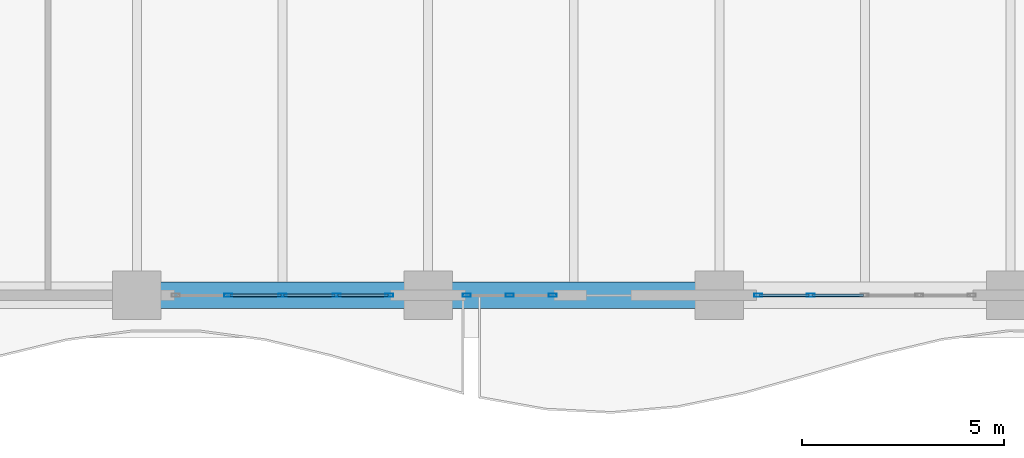
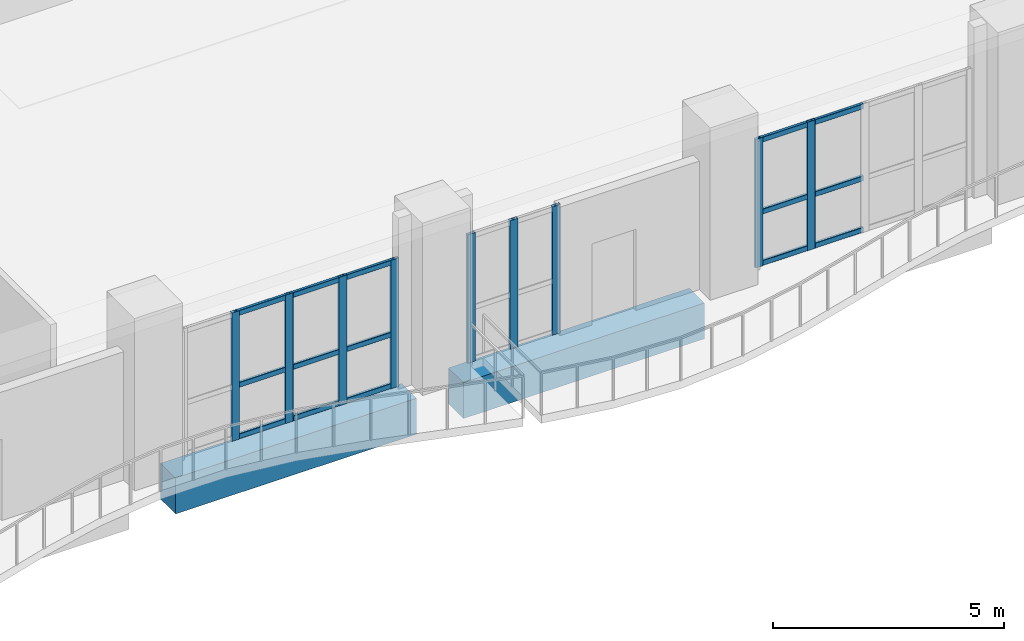
# One storey, part 14 of 37: 24 members, 2 beams, 3 elements without a shape of their own.
"""IFC4 building model written with IfcOpenShell, lengths in metres."""

from ifc_helpers import new_model, si_unit, direction, frame, origin, origin_2d, place, context, subcontext, project, spatial, rectangle, hollow_rectangle, extrude, material, layer, layer_set, material_profile, profile_set, type_object, element, aggregate, save


model = new_model("IFC4")

# Units and contexts
model_context = context("Model", 3, precision=1e-05, world=origin(), true_north=direction((0.0, 1.0)))
body_context = subcontext(model_context, "Body", "Model", "MODEL_VIEW")
ifc_project = project(units=[si_unit("LENGTHUNIT", "METRE"), si_unit("AREAUNIT", "SQUARE_METRE"), si_unit("VOLUMEUNIT", "CUBIC_METRE"), si_unit("PLANEANGLEUNIT", "RADIAN"), si_unit("MASSUNIT", "GRAM", prefix="KILO")], contexts=[model_context])

# Site, building, storey
site_placement = place(None, origin())
site = spatial("IfcSite", under=ifc_project, at=site_placement, CompositionType="ELEMENT")
building_placement = place(site_placement, origin())
building = spatial("IfcBuilding", under=site, at=building_placement, Name="Kaelvorn Grand Hotel", CompositionType="ELEMENT")
storey_placement = place(building_placement, frame((0.0, 0.0, 130.550048828125)))
storey = spatial("IfcBuildingStorey", under=building, at=storey_placement, Name="L31", CompositionType="ELEMENT", Elevation=130.550048828125)

# Beams
ifc_material_1 = material(Name="Concrete C60/75", Category="concrete")
ifc_material_profile_1 = material_profile(ifc_material_1, rectangle(XDim=0.64990234375, YDim=0.949951171875, at=origin_2d()), Name="RC SPANDREL 650x950")
ifc_profile_set_1 = profile_set([ifc_material_profile_1], Name="Concrete C60/75")
beam_type = type_object("IfcBeamType", Name="BM-SP-650x950-C60", PredefinedType="SPANDREL", material=ifc_profile_set_1)
beam_1_placement = place(storey_placement, frame((46.784912109375, 0.0, -0.715087890625), z_axis=(1.0, 0.0, 0.0), x_axis=(0.0, 1.0, 0.0)))
element("IfcBeam", 1, at=beam_1_placement, inside=storey, type_object=beam_type, Name="L31 South Perimeter Spandrel 07", PredefinedType="SPANDREL", context=body_context, shape_type="SweptSolid", body=[
    extrude(rectangle(XDim=0.64990234375, YDim=0.949951171875, at=origin_2d()), origin(), (0.0, 0.0, 1.0), 6.030029296875),
])
beam_2_placement = place(storey_placement, frame((53.985107421875, 0.0, -0.715087890625), z_axis=(1.0, 0.0, 0.0), x_axis=(0.0, 1.0, 0.0)))
element("IfcBeam", 2, at=beam_2_placement, inside=storey, type_object=beam_type, Name="L31 South Perimeter Spandrel 08", PredefinedType="SPANDREL", context=body_context, shape_type="SweptSolid", body=[
    extrude(rectangle(XDim=0.64990234375, YDim=0.949951171875, at=origin_2d()), origin(), (0.0, 0.0, 1.0), 6.02978515625),
])

# Curtain wall, members
ifc_material_2 = material(Name="Anodised Aluminium", Category="aluminium")
ifc_layer = layer(ifc_material_2, 0.199951171875)
ifc_layer_set = layer_set([ifc_layer], Name="Anodised Aluminium")
curtain_wall_type = type_object("IfcCurtainWallType", Name="CW-SYS3", PredefinedType="NOTDEFINED", material=ifc_layer_set)
curtain_wall_1_placement = place(storey_placement, origin())
curtain_wall_1 = element("IfcCurtainWall", 3, at=curtain_wall_1_placement, inside=storey, type_object=curtain_wall_type, Name="L31 Unitised Curtain Wall CW3 (CW-L31-SB3-01)", PredefinedType="NOTDEFINED")
ifc_material_profile_2 = material_profile(ifc_material_2, hollow_rectangle(XDim=0.074951171875, YDim=0.199951171875, WallThickness=0.00390625, InnerFilletRadius=0.00390625, OuterFilletRadius=0.008056640625, at=origin_2d()), Name="ALU MULL 75x200")
ifc_profile_set_2 = profile_set([ifc_material_profile_2], Name="Anodised Aluminium")
member_type_1 = type_object("IfcMemberType", Name="CW-SYS3-MULL", PredefinedType="MULLION", material=ifc_profile_set_2)
member_1_placement = place(storey_placement, frame((48.4599609375, 0.0, 0.0), z_axis=(0.0, 0.0, 1.0), x_axis=(0.0, 1.0, 0.0)))
member_1 = element("IfcMember", 4, at=member_1_placement, type_object=member_type_1, Name="CW3 mullion 2", PredefinedType="MULLION", context=body_context, shape_type="SweptSolid", body=[
    extrude(hollow_rectangle(XDim=0.074951171875, YDim=0.199951171875, WallThickness=0.00390625, InnerFilletRadius=0.00390625, OuterFilletRadius=0.008056640625, at=origin_2d()), origin(), (0.0, 0.0, 1.0), 3.39990234375),
])
member_2_placement = place(storey_placement, frame((49.800048828125, 0.0, 0.0), z_axis=(0.0, 0.0, 1.0), x_axis=(0.0, 1.0, 0.0)))
member_2 = element("IfcMember", 5, at=member_2_placement, type_object=member_type_1, Name="CW3 mullion 3", PredefinedType="MULLION", context=body_context, shape_type="SweptSolid", body=[
    extrude(hollow_rectangle(XDim=0.074951171875, YDim=0.199951171875, WallThickness=0.00390625, InnerFilletRadius=0.00390625, OuterFilletRadius=0.008056640625, at=origin_2d()), origin(), (0.0, 0.0, 1.0), 3.39990234375),
])
member_3_placement = place(storey_placement, frame((51.139892578125, 0.0, 0.0), z_axis=(0.0, 0.0, 1.0), x_axis=(0.0, 1.0, 0.0)))
member_3 = element("IfcMember", 6, at=member_3_placement, type_object=member_type_1, Name="CW3 mullion 4", PredefinedType="MULLION", context=body_context, shape_type="SweptSolid", body=[
    extrude(hollow_rectangle(XDim=0.074951171875, YDim=0.199951171875, WallThickness=0.00390625, InnerFilletRadius=0.00390625, OuterFilletRadius=0.008056640625, at=origin_2d()), origin(), (0.0, 0.0, 1.0), 3.39990234375),
])
member_4_placement = place(storey_placement, frame((52.4423828125, 0.0, 0.0), z_axis=(0.0, 0.0, 1.0), x_axis=(0.0, 1.0, 0.0)))
member_4 = element("IfcMember", 7, at=member_4_placement, type_object=member_type_1, Name="CW3 mullion 5", PredefinedType="MULLION", context=body_context, shape_type="SweptSolid", body=[
    extrude(hollow_rectangle(XDim=0.074951171875, YDim=0.199951171875, WallThickness=0.00390625, InnerFilletRadius=0.00390625, OuterFilletRadius=0.008056640625, at=origin_2d()), origin(), (0.0, 0.0, 1.0), 3.39990234375),
])

curtain_wall_2_placement = place(storey_placement, origin())
curtain_wall_2 = element("IfcCurtainWall", 8, at=curtain_wall_2_placement, inside=storey, type_object=curtain_wall_type, Name="L31 Unitised Curtain Wall CW3 (CW-L31-SB3-02)", PredefinedType="NOTDEFINED")
member_5_placement = place(storey_placement, frame((54.357421875, 0.0, 0.0), z_axis=(0.0, 0.0, 1.0), x_axis=(0.0, 1.0, 0.0)))
member_5 = element("IfcMember", 9, at=member_5_placement, type_object=member_type_1, Name="CW3 mullion 1", PredefinedType="MULLION", context=body_context, shape_type="SweptSolid", body=[
    extrude(hollow_rectangle(XDim=0.074951171875, YDim=0.199951171875, WallThickness=0.00390625, InnerFilletRadius=0.00390625, OuterFilletRadius=0.008056640625, at=origin_2d()), origin(), (0.0, 0.0, 1.0), 3.39990234375),
])
member_6_placement = place(storey_placement, frame((55.41845703125, 0.0, 0.0), z_axis=(0.0, 0.0, 1.0), x_axis=(0.0, 1.0, 0.0)))
member_6 = element("IfcMember", 10, at=member_6_placement, type_object=member_type_1, Name="CW3 mullion 2", PredefinedType="MULLION", context=body_context, shape_type="SweptSolid", body=[
    extrude(hollow_rectangle(XDim=0.074951171875, YDim=0.199951171875, WallThickness=0.00390625, InnerFilletRadius=0.00390625, OuterFilletRadius=0.008056640625, at=origin_2d()), origin(), (0.0, 0.0, 1.0), 3.39990234375),
])
member_7_placement = place(storey_placement, frame((56.479248046875, 0.0, 0.0), z_axis=(0.0, 0.0, 1.0), x_axis=(0.0, 1.0, 0.0)))
member_7 = element("IfcMember", 11, at=member_7_placement, type_object=member_type_1, Name="CW3 mullion 3", PredefinedType="MULLION", context=body_context, shape_type="SweptSolid", body=[
    extrude(hollow_rectangle(XDim=0.074951171875, YDim=0.199951171875, WallThickness=0.00390625, InnerFilletRadius=0.00390625, OuterFilletRadius=0.008056640625, at=origin_2d()), origin(), (0.0, 0.0, 1.0), 3.39990234375),
])
aggregate(curtain_wall_2, [member_5, member_6, member_7])

curtain_wall_3_placement = place(storey_placement, origin())
curtain_wall_3 = element("IfcCurtainWall", 12, at=curtain_wall_3_placement, inside=storey, type_object=curtain_wall_type, Name="L31 Unitised Curtain Wall CW3 (CW-L31-SB4-01)", PredefinedType="NOTDEFINED")
member_8_placement = place(storey_placement, frame((61.5576171875, 0.0, 0.0), z_axis=(0.0, 0.0, 1.0), x_axis=(0.0, 1.0, 0.0)))
member_8 = element("IfcMember", 13, at=member_8_placement, type_object=member_type_1, Name="CW3 mullion 1", PredefinedType="MULLION", context=body_context, shape_type="SweptSolid", body=[
    extrude(hollow_rectangle(XDim=0.074951171875, YDim=0.199951171875, WallThickness=0.00390625, InnerFilletRadius=0.00390625, OuterFilletRadius=0.008056640625, at=origin_2d()), origin(), (0.0, 0.0, 1.0), 3.39990234375),
])
member_9_placement = place(storey_placement, frame((62.860107421875, 0.0, 0.0), z_axis=(0.0, 0.0, 1.0), x_axis=(0.0, 1.0, 0.0)))
member_9 = element("IfcMember", 14, at=member_9_placement, type_object=member_type_1, Name="CW3 mullion 2", PredefinedType="MULLION", context=body_context, shape_type="SweptSolid", body=[
    extrude(hollow_rectangle(XDim=0.074951171875, YDim=0.199951171875, WallThickness=0.00390625, InnerFilletRadius=0.00390625, OuterFilletRadius=0.008056640625, at=origin_2d()), origin(), (0.0, 0.0, 1.0), 3.39990234375),
])

# Member
ifc_material_profile_3 = material_profile(ifc_material_2, hollow_rectangle(XDim=0.070068359375, YDim=0.135009765625, WallThickness=0.00341796875, InnerFilletRadius=0.00341796875, OuterFilletRadius=0.007080078125, at=origin_2d()), Name="ALU TRAN 70x135")
ifc_profile_set_3 = profile_set([ifc_material_profile_3], Name="Anodised Aluminium")
member_type_2 = type_object("IfcMemberType", Name="CW-SYS3-TRAN", PredefinedType="NOTDEFINED", material=ifc_profile_set_3)
member_10_placement = place(storey_placement, frame((48.49755859375, 0.0, 0.0673828125), z_axis=(1.0, 0.0, 0.0), x_axis=(0.0, 1.0, 0.0)))
member_10 = element("IfcMember", 15, at=member_10_placement, type_object=member_type_2, Name="CW3 transom 2.1", ObjectType="TRANSOM", PredefinedType="USERDEFINED", context=body_context, shape_type="SweptSolid", body=[
    extrude(hollow_rectangle(XDim=0.070068359375, YDim=0.135009765625, WallThickness=0.00341796875, InnerFilletRadius=0.00341796875, OuterFilletRadius=0.007080078125, at=origin_2d()), origin(), (0.0, 0.0, 1.0), 1.264892578125),
])

member_11_placement = place(storey_placement, frame((48.49755859375, 0.0, 1.427978515625), z_axis=(1.0, 0.0, 0.0), x_axis=(0.0, 1.0, 0.0)))
member_11 = element("IfcMember", 16, at=member_11_placement, type_object=member_type_2, Name="CW3 transom 2.2", ObjectType="TRANSOM", PredefinedType="USERDEFINED", context=body_context, shape_type="SweptSolid", body=[
    extrude(hollow_rectangle(XDim=0.070068359375, YDim=0.135009765625, WallThickness=0.00341796875, InnerFilletRadius=0.00341796875, OuterFilletRadius=0.007080078125, at=origin_2d()), origin(), (0.0, 0.0, 1.0), 1.264892578125),
])

member_12_placement = place(storey_placement, frame((48.49755859375, 0.0, 3.33251953125), z_axis=(1.0, 0.0, 0.0), x_axis=(0.0, 1.0, 0.0)))
member_12 = element("IfcMember", 17, at=member_12_placement, type_object=member_type_2, Name="CW3 transom 2.3", ObjectType="TRANSOM", PredefinedType="USERDEFINED", context=body_context, shape_type="SweptSolid", body=[
    extrude(hollow_rectangle(XDim=0.070068359375, YDim=0.135009765625, WallThickness=0.00341796875, InnerFilletRadius=0.00341796875, OuterFilletRadius=0.007080078125, at=origin_2d()), origin(), (0.0, 0.0, 1.0), 1.264892578125),
])

member_13_placement = place(storey_placement, frame((49.83740234375, 0.0, 0.0673828125), z_axis=(1.0, 0.0, 0.0), x_axis=(0.0, 1.0, 0.0)))
member_13 = element("IfcMember", 18, at=member_13_placement, type_object=member_type_2, Name="CW3 transom 3.1", ObjectType="TRANSOM", PredefinedType="USERDEFINED", context=body_context, shape_type="SweptSolid", body=[
    extrude(hollow_rectangle(XDim=0.070068359375, YDim=0.135009765625, WallThickness=0.00341796875, InnerFilletRadius=0.00341796875, OuterFilletRadius=0.007080078125, at=origin_2d()), origin(), (0.0, 0.0, 1.0), 1.26513671875),
])

member_14_placement = place(storey_placement, frame((49.83740234375, 0.0, 1.427978515625), z_axis=(1.0, 0.0, 0.0), x_axis=(0.0, 1.0, 0.0)))
member_14 = element("IfcMember", 19, at=member_14_placement, type_object=member_type_2, Name="CW3 transom 3.2", ObjectType="TRANSOM", PredefinedType="USERDEFINED", context=body_context, shape_type="SweptSolid", body=[
    extrude(hollow_rectangle(XDim=0.070068359375, YDim=0.135009765625, WallThickness=0.00341796875, InnerFilletRadius=0.00341796875, OuterFilletRadius=0.007080078125, at=origin_2d()), origin(), (0.0, 0.0, 1.0), 1.26513671875),
])

member_15_placement = place(storey_placement, frame((49.83740234375, 0.0, 3.33251953125), z_axis=(1.0, 0.0, 0.0), x_axis=(0.0, 1.0, 0.0)))
member_15 = element("IfcMember", 20, at=member_15_placement, type_object=member_type_2, Name="CW3 transom 3.3", ObjectType="TRANSOM", PredefinedType="USERDEFINED", context=body_context, shape_type="SweptSolid", body=[
    extrude(hollow_rectangle(XDim=0.070068359375, YDim=0.135009765625, WallThickness=0.00341796875, InnerFilletRadius=0.00341796875, OuterFilletRadius=0.007080078125, at=origin_2d()), origin(), (0.0, 0.0, 1.0), 1.26513671875),
])

member_16_placement = place(storey_placement, frame((51.177490234375, 0.0, 0.0673828125), z_axis=(1.0, 0.0, 0.0), x_axis=(0.0, 1.0, 0.0)))
member_16 = element("IfcMember", 21, at=member_16_placement, type_object=member_type_2, Name="CW3 transom 4.1", ObjectType="TRANSOM", PredefinedType="USERDEFINED", context=body_context, shape_type="SweptSolid", body=[
    extrude(hollow_rectangle(XDim=0.070068359375, YDim=0.135009765625, WallThickness=0.00341796875, InnerFilletRadius=0.00341796875, OuterFilletRadius=0.007080078125, at=origin_2d()), origin(), (0.0, 0.0, 1.0), 1.2275390625),
])

member_17_placement = place(storey_placement, frame((51.177490234375, 0.0, 1.427978515625), z_axis=(1.0, 0.0, 0.0), x_axis=(0.0, 1.0, 0.0)))
member_17 = element("IfcMember", 22, at=member_17_placement, type_object=member_type_2, Name="CW3 transom 4.2", ObjectType="TRANSOM", PredefinedType="USERDEFINED", context=body_context, shape_type="SweptSolid", body=[
    extrude(hollow_rectangle(XDim=0.070068359375, YDim=0.135009765625, WallThickness=0.00341796875, InnerFilletRadius=0.00341796875, OuterFilletRadius=0.007080078125, at=origin_2d()), origin(), (0.0, 0.0, 1.0), 1.2275390625),
])

member_18_placement = place(storey_placement, frame((51.177490234375, 0.0, 3.33251953125), z_axis=(1.0, 0.0, 0.0), x_axis=(0.0, 1.0, 0.0)))
member_18 = element("IfcMember", 23, at=member_18_placement, type_object=member_type_2, Name="CW3 transom 4.3", ObjectType="TRANSOM", PredefinedType="USERDEFINED", context=body_context, shape_type="SweptSolid", body=[
    extrude(hollow_rectangle(XDim=0.070068359375, YDim=0.135009765625, WallThickness=0.00341796875, InnerFilletRadius=0.00341796875, OuterFilletRadius=0.007080078125, at=origin_2d()), origin(), (0.0, 0.0, 1.0), 1.2275390625),
])

aggregate(curtain_wall_1, [member_1, member_2, member_3, member_4, member_10, member_11, member_12, member_13, member_14, member_15, member_16, member_17, member_18])

member_19_placement = place(storey_placement, frame((61.594970703125, 0.0, 0.0673828125), z_axis=(1.0, 0.0, 0.0), x_axis=(0.0, 1.0, 0.0)))
member_19 = element("IfcMember", 24, at=member_19_placement, type_object=member_type_2, Name="CW3 transom 1.1", ObjectType="TRANSOM", PredefinedType="USERDEFINED", context=body_context, shape_type="SweptSolid", body=[
    extrude(hollow_rectangle(XDim=0.070068359375, YDim=0.135009765625, WallThickness=0.00341796875, InnerFilletRadius=0.00341796875, OuterFilletRadius=0.007080078125, at=origin_2d()), origin(), (0.0, 0.0, 1.0), 1.2275390625),
])

member_20_placement = place(storey_placement, frame((61.594970703125, 0.0, 1.427978515625), z_axis=(1.0, 0.0, 0.0), x_axis=(0.0, 1.0, 0.0)))
member_20 = element("IfcMember", 25, at=member_20_placement, type_object=member_type_2, Name="CW3 transom 1.2", ObjectType="TRANSOM", PredefinedType="USERDEFINED", context=body_context, shape_type="SweptSolid", body=[
    extrude(hollow_rectangle(XDim=0.070068359375, YDim=0.135009765625, WallThickness=0.00341796875, InnerFilletRadius=0.00341796875, OuterFilletRadius=0.007080078125, at=origin_2d()), origin(), (0.0, 0.0, 1.0), 1.2275390625),
])

member_21_placement = place(storey_placement, frame((61.594970703125, 0.0, 3.33251953125), z_axis=(1.0, 0.0, 0.0), x_axis=(0.0, 1.0, 0.0)))
member_21 = element("IfcMember", 26, at=member_21_placement, type_object=member_type_2, Name="CW3 transom 1.3", ObjectType="TRANSOM", PredefinedType="USERDEFINED", context=body_context, shape_type="SweptSolid", body=[
    extrude(hollow_rectangle(XDim=0.070068359375, YDim=0.135009765625, WallThickness=0.00341796875, InnerFilletRadius=0.00341796875, OuterFilletRadius=0.007080078125, at=origin_2d()), origin(), (0.0, 0.0, 1.0), 1.2275390625),
])

member_22_placement = place(storey_placement, frame((62.8974609375, 0.0, 0.0673828125), z_axis=(1.0, 0.0, 0.0), x_axis=(0.0, 1.0, 0.0)))
member_22 = element("IfcMember", 27, at=member_22_placement, type_object=member_type_2, Name="CW3 transom 2.1", ObjectType="TRANSOM", PredefinedType="USERDEFINED", context=body_context, shape_type="SweptSolid", body=[
    extrude(hollow_rectangle(XDim=0.070068359375, YDim=0.135009765625, WallThickness=0.00341796875, InnerFilletRadius=0.00341796875, OuterFilletRadius=0.007080078125, at=origin_2d()), origin(), (0.0, 0.0, 1.0), 1.26513671875),
])

member_23_placement = place(storey_placement, frame((62.8974609375, 0.0, 1.427978515625), z_axis=(1.0, 0.0, 0.0), x_axis=(0.0, 1.0, 0.0)))
member_23 = element("IfcMember", 28, at=member_23_placement, type_object=member_type_2, Name="CW3 transom 2.2", ObjectType="TRANSOM", PredefinedType="USERDEFINED", context=body_context, shape_type="SweptSolid", body=[
    extrude(hollow_rectangle(XDim=0.070068359375, YDim=0.135009765625, WallThickness=0.00341796875, InnerFilletRadius=0.00341796875, OuterFilletRadius=0.007080078125, at=origin_2d()), origin(), (0.0, 0.0, 1.0), 1.26513671875),
])

member_24_placement = place(storey_placement, frame((62.8974609375, 0.0, 3.33251953125), z_axis=(1.0, 0.0, 0.0), x_axis=(0.0, 1.0, 0.0)))
member_24 = element("IfcMember", 29, at=member_24_placement, type_object=member_type_2, Name="CW3 transom 2.3", ObjectType="TRANSOM", PredefinedType="USERDEFINED", context=body_context, shape_type="SweptSolid", body=[
    extrude(hollow_rectangle(XDim=0.070068359375, YDim=0.135009765625, WallThickness=0.00341796875, InnerFilletRadius=0.00341796875, OuterFilletRadius=0.007080078125, at=origin_2d()), origin(), (0.0, 0.0, 1.0), 1.26513671875),
])

aggregate(curtain_wall_3, [member_8, member_9, member_19, member_20, member_21, member_22, member_23, member_24])

save(model, "model.ifc")
